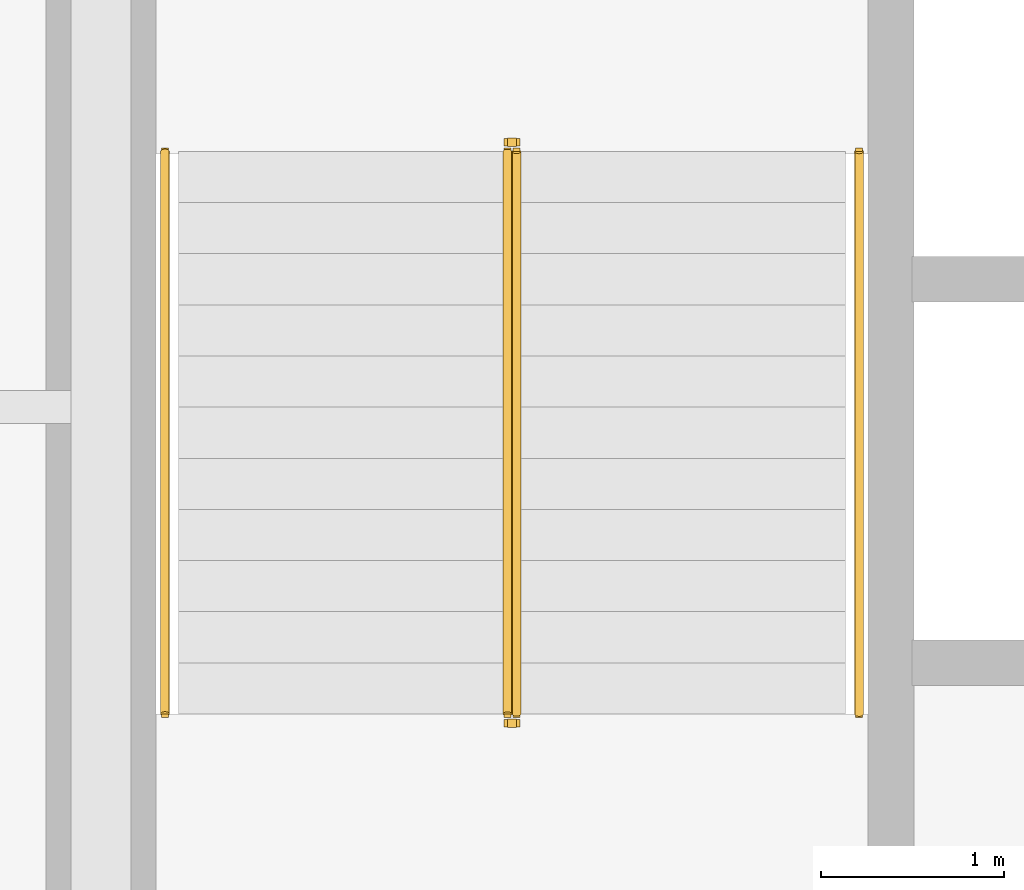
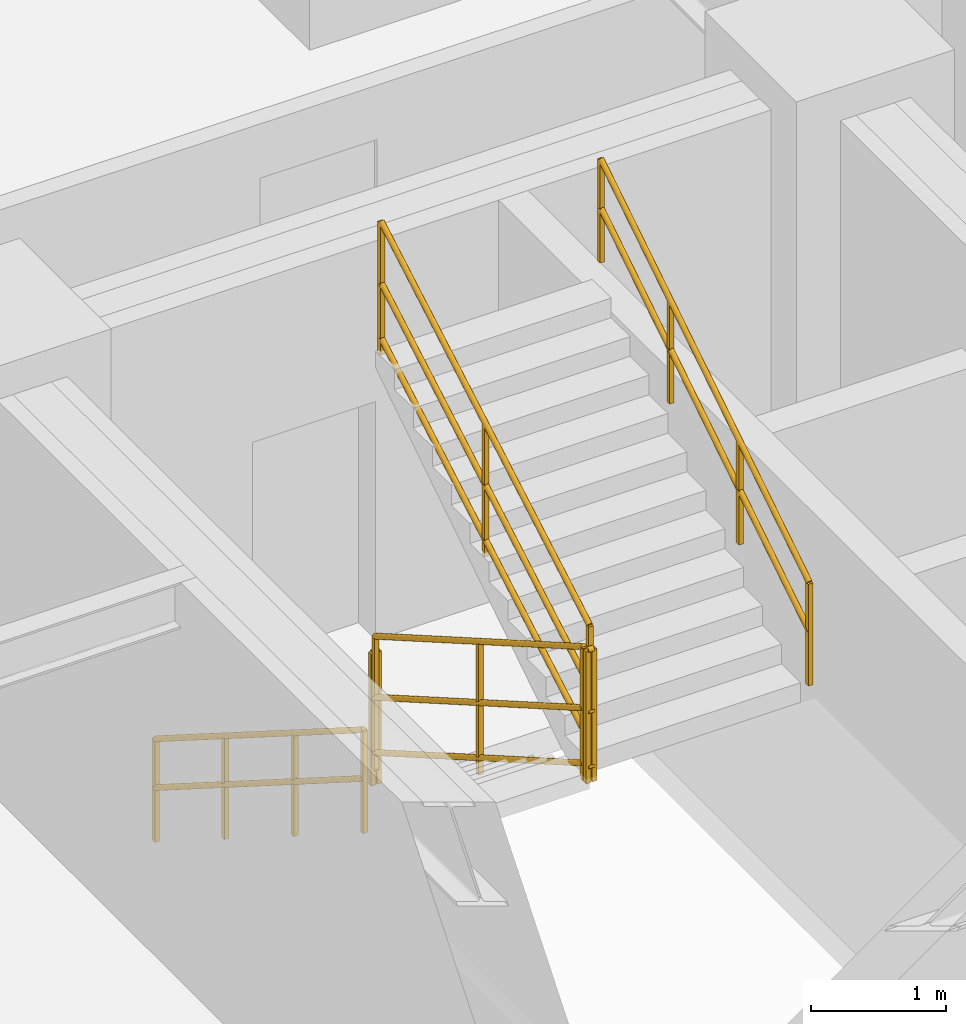
# One storey, part 10 of 10: 6 railings.
"""IFC4 building model written with IfcOpenShell, lengths in metres."""

from ifc_helpers import new_model, entity, si_unit, converted_unit, direction, frame, origin_with_axes, origin_2d_with_axis, place, context, subcontext, project, spatial, rectangle, circle, extrude, material, type_object, element, save


model = new_model("IFC4")

# Units and contexts
model_context = context("Model", 3, precision=1e-05, world=origin_with_axes(), true_north=direction((0.0, 1.0)))
body_context = subcontext(model_context, "Body", "Model", "MODEL_VIEW")
ifc_project = project(units=[si_unit("LENGTHUNIT", "METRE"), si_unit("AREAUNIT", "SQUARE_METRE"), si_unit("VOLUMEUNIT", "CUBIC_METRE"), converted_unit("PLANEANGLEUNIT", "DEGREE", entity("IfcPlaneAngleMeasure", 0.017453292519943295), si_unit("PLANEANGLEUNIT", "RADIAN"), dimensions=[0, 0, 0, 0, 0, 0, 0]), si_unit("MASSUNIT", "GRAM", prefix="KILO"), si_unit("THERMODYNAMICTEMPERATUREUNIT", "KELVIN")], contexts=[model_context])

# Site, building, storey
site_placement = place(None, origin_with_axes())
site = spatial("IfcSite", under=ifc_project, at=site_placement, CompositionType="ELEMENT")
building_placement = place(site_placement, origin_with_axes())
building = spatial("IfcBuilding", under=site, at=building_placement, Name="Varnlund Millrace Tower", CompositionType="ELEMENT")
storey_placement = place(building_placement, frame((0.0, 0.0, 75.6), z_axis=(0.0, 0.0, 1.0), x_axis=(1.0, 0.0, 0.0)))
storey = spatial("IfcBuildingStorey", under=building, at=storey_placement, Name="L18", CompositionType="ELEMENT", Elevation=75.6)

# Railings
ifc_material_1 = material(Name="Painted steel stair well balustrade guard", Category="steel")
railing_type_1 = type_object("IfcRailingType", Name="Type-StairGuard-1150", PredefinedType="GUARDRAIL", material=ifc_material_1)
railing_1_placement = place(storey_placement, frame((0.0, 0.0, -75.6), z_axis=(0.0, 0.0, 1.0), x_axis=(1.0, 0.0, 0.0)))
element("IfcRailing", 1, at=railing_1_placement, inside=storey, type_object=railing_type_1, Name="Type-StairGuard-1150", PredefinedType="GUARDRAIL", context=body_context, shape_type="SweptSolid", body=[
    extrude(circle(Radius=0.024, at=origin_2d_with_axis()), frame((13.625, 35.9, 76.927273), z_axis=(0.0, -0.866696, 0.498836), x_axis=(1.0, 0.0, 0.0)), (0.0, 0.0, 1.0), 3.553725),
    extrude(circle(Radius=0.024, at=origin_2d_with_axis()), frame((13.625, 35.9, 75.877273), z_axis=(0.0, -0.866696, 0.498836), x_axis=(1.0, 0.0, 0.0)), (0.0, 0.0, 1.0), 3.553725),
    extrude(circle(Radius=0.024, at=origin_2d_with_axis()), frame((13.625, 35.9, 76.375273), z_axis=(0.0, -0.866696, 0.498836), x_axis=(1.0, 0.0, 0.0)), (0.0, 0.0, 1.0), 3.553725),
    extrude(rectangle(XDim=0.04, YDim=0.04, at=origin_2d_with_axis()), frame((13.625, 35.9, 75.737273), z_axis=(0.0, 0.0, 1.0), x_axis=(1.0, 0.0, 0.0)), (0.0, 0.0, 1.0), 1.19),
    extrude(rectangle(XDim=0.04, YDim=0.04, at=origin_2d_with_axis()), frame((13.625, 34.36, 76.623636), z_axis=(0.0, 0.0, 1.0), x_axis=(1.0, 0.0, 0.0)), (0.0, 0.0, 1.0), 1.19),
    extrude(rectangle(XDim=0.04, YDim=0.04, at=origin_2d_with_axis()), frame((13.625, 32.82, 77.51), z_axis=(0.0, 0.0, 1.0), x_axis=(1.0, 0.0, 0.0)), (0.0, 0.0, 1.0), 1.19),
])
railing_2_placement = place(storey_placement, frame((0.0, 0.0, -75.6), z_axis=(0.0, 0.0, 1.0), x_axis=(1.0, 0.0, 0.0)))
element("IfcRailing", 2, at=railing_2_placement, inside=storey, type_object=railing_type_1, Name="Type-StairGuard-1150", PredefinedType="GUARDRAIL", context=body_context, shape_type="SweptSolid", body=[
    extrude(circle(Radius=0.024, at=origin_2d_with_axis()), frame((13.675, 32.77, 78.7), z_axis=(-1.0, 0.0, 0.0), x_axis=(0.0, -1.0, 0.0)), (0.0, 0.0, 1.0), 0.05),
    extrude(circle(Radius=0.024, at=origin_2d_with_axis()), frame((13.675, 32.77, 77.65), z_axis=(-1.0, 0.0, 0.0), x_axis=(0.0, -1.0, 0.0)), (0.0, 0.0, 1.0), 0.05),
    extrude(circle(Radius=0.024, at=origin_2d_with_axis()), frame((13.675, 32.77, 78.148), z_axis=(-1.0, 0.0, 0.0), x_axis=(0.0, -1.0, 0.0)), (0.0, 0.0, 1.0), 0.05),
    extrude(rectangle(XDim=0.04, YDim=0.04, at=origin_2d_with_axis()), frame((13.675, 32.77, 77.51), z_axis=(0.0, 0.0, 1.0), x_axis=(1.0, 0.0, 0.0)), (0.0, 0.0, 1.0), 1.19),
    extrude(rectangle(XDim=0.04, YDim=0.04, at=origin_2d_with_axis()), frame((13.625, 32.77, 77.51), z_axis=(0.0, 0.0, 1.0), x_axis=(1.0, 0.0, 0.0)), (0.0, 0.0, 1.0), 1.19),
])
railing_3_placement = place(storey_placement, frame((0.0, 0.0, -75.6), z_axis=(0.0, 0.0, 1.0), x_axis=(1.0, 0.0, 0.0)))
element("IfcRailing", 3, at=railing_3_placement, inside=storey, type_object=railing_type_1, Name="Type-StairGuard-1150", PredefinedType="GUARDRAIL", context=body_context, shape_type="SweptSolid", body=[
    extrude(circle(Radius=0.024, at=origin_2d_with_axis()), frame((13.675, 32.82, 78.877273), z_axis=(0.0, 0.866696, 0.498836), x_axis=(-1.0, 0.0, 0.0)), (0.0, 0.0, 1.0), 3.553725),
    extrude(circle(Radius=0.024, at=origin_2d_with_axis()), frame((13.675, 32.82, 77.827273), z_axis=(0.0, 0.866696, 0.498836), x_axis=(-1.0, 0.0, 0.0)), (0.0, 0.0, 1.0), 3.553725),
    extrude(circle(Radius=0.024, at=origin_2d_with_axis()), frame((13.675, 32.82, 78.325273), z_axis=(0.0, 0.866696, 0.498836), x_axis=(-1.0, 0.0, 0.0)), (0.0, 0.0, 1.0), 3.553725),
    extrude(rectangle(XDim=0.04, YDim=0.04, at=origin_2d_with_axis()), frame((13.675, 32.82, 77.687273), z_axis=(0.0, 0.0, 1.0), x_axis=(1.0, 0.0, 0.0)), (0.0, 0.0, 1.0), 1.19),
    extrude(rectangle(XDim=0.04, YDim=0.04, at=origin_2d_with_axis()), frame((13.675, 34.36, 78.573636), z_axis=(0.0, 0.0, 1.0), x_axis=(1.0, 0.0, 0.0)), (0.0, 0.0, 1.0), 1.19),
    extrude(rectangle(XDim=0.04, YDim=0.04, at=origin_2d_with_axis()), frame((13.675, 35.9, 79.46), z_axis=(0.0, 0.0, 1.0), x_axis=(1.0, 0.0, 0.0)), (0.0, 0.0, 1.0), 1.19),
])
railing_4_placement = place(storey_placement, frame((0.0, 0.0, -75.6), z_axis=(0.0, 0.0, 1.0), x_axis=(1.0, 0.0, 0.0)))
element("IfcRailing", 4, at=railing_4_placement, inside=storey, type_object=railing_type_1, Name="Type-StairGuard-1150", PredefinedType="GUARDRAIL", context=body_context, shape_type="SweptSolid", body=[
    extrude(circle(Radius=0.024, at=origin_2d_with_axis()), frame((13.675, 35.95, 76.75), z_axis=(-1.0, 0.0, 0.0), x_axis=(0.0, -1.0, 0.0)), (0.0, 0.0, 1.0), 0.05),
    extrude(circle(Radius=0.024, at=origin_2d_with_axis()), frame((13.675, 35.95, 75.7), z_axis=(-1.0, 0.0, 0.0), x_axis=(0.0, -1.0, 0.0)), (0.0, 0.0, 1.0), 0.05),
    extrude(circle(Radius=0.024, at=origin_2d_with_axis()), frame((13.675, 35.95, 76.198), z_axis=(-1.0, 0.0, 0.0), x_axis=(0.0, -1.0, 0.0)), (0.0, 0.0, 1.0), 0.05),
    extrude(rectangle(XDim=0.04, YDim=0.04, at=origin_2d_with_axis()), frame((13.675, 35.95, 75.56), z_axis=(0.0, 0.0, 1.0), x_axis=(1.0, 0.0, 0.0)), (0.0, 0.0, 1.0), 1.19),
    extrude(rectangle(XDim=0.04, YDim=0.04, at=origin_2d_with_axis()), frame((13.625, 35.95, 75.56), z_axis=(0.0, 0.0, 1.0), x_axis=(1.0, 0.0, 0.0)), (0.0, 0.0, 1.0), 1.19),
])
ifc_material_2 = material(Name="Brushed architectural bronze stair handrail", Category="aluminium")
railing_type_2 = type_object("IfcRailingType", Name="Type-StairHandrail-900", PredefinedType="HANDRAIL", material=ifc_material_2)
railing_5_placement = place(storey_placement, frame((0.0, 0.0, -75.6), z_axis=(0.0, 0.0, 1.0), x_axis=(1.0, 0.0, 0.0)))
element("IfcRailing", 5, at=railing_5_placement, inside=storey, type_object=railing_type_2, Name="Type-StairHandrail-900", PredefinedType="HANDRAIL", context=body_context, shape_type="SweptSolid", body=[
    extrude(circle(Radius=0.024, at=origin_2d_with_axis()), frame((11.75, 35.9, 76.656995), z_axis=(0.0, -0.844902, 0.534922), x_axis=(1.0, 0.0, 0.0)), (0.0, 0.0, 1.0), 3.645394),
    extrude(circle(Radius=0.024, at=origin_2d_with_axis()), frame((11.75, 35.9, 76.217134), z_axis=(0.0, -0.844902, 0.534922), x_axis=(1.0, 0.0, 0.0)), (0.0, 0.0, 1.0), 3.645394),
    extrude(rectangle(XDim=0.04, YDim=0.04, at=origin_2d_with_axis()), frame((11.75, 35.9, 75.737273), z_axis=(0.0, 0.0, 1.0), x_axis=(1.0, 0.0, 0.0)), (0.0, 0.0, 1.0), 0.919722),
    extrude(rectangle(XDim=0.04, YDim=0.04, at=origin_2d_with_axis()), frame((11.75, 34.873333, 76.387273), z_axis=(0.0, 0.0, 1.0), x_axis=(1.0, 0.0, 0.0)), (0.0, 0.0, 1.0), 0.919722),
    extrude(rectangle(XDim=0.04, YDim=0.04, at=origin_2d_with_axis()), frame((11.75, 33.846667, 77.037273), z_axis=(0.0, 0.0, 1.0), x_axis=(1.0, 0.0, 0.0)), (0.0, 0.0, 1.0), 0.919722),
    extrude(rectangle(XDim=0.04, YDim=0.04, at=origin_2d_with_axis()), frame((11.75, 32.82, 77.687273), z_axis=(0.0, 0.0, 1.0), x_axis=(1.0, 0.0, 0.0)), (0.0, 0.0, 1.0), 0.919722),
])
railing_6_placement = place(storey_placement, frame((0.0, 0.0, -75.6), z_axis=(0.0, 0.0, 1.0), x_axis=(1.0, 0.0, 0.0)))
element("IfcRailing", 6, at=railing_6_placement, inside=storey, type_object=railing_type_2, Name="Type-StairHandrail-900", PredefinedType="HANDRAIL", context=body_context, shape_type="SweptSolid", body=[
    extrude(circle(Radius=0.024, at=origin_2d_with_axis()), frame((15.55, 32.82, 78.606995), z_axis=(0.0, 0.844902, 0.534922), x_axis=(-1.0, 0.0, 0.0)), (0.0, 0.0, 1.0), 3.645394),
    extrude(circle(Radius=0.024, at=origin_2d_with_axis()), frame((15.55, 32.82, 78.167134), z_axis=(0.0, 0.844902, 0.534922), x_axis=(-1.0, 0.0, 0.0)), (0.0, 0.0, 1.0), 3.645394),
    extrude(rectangle(XDim=0.04, YDim=0.04, at=origin_2d_with_axis()), frame((15.55, 32.82, 77.687273), z_axis=(0.0, 0.0, 1.0), x_axis=(1.0, 0.0, 0.0)), (0.0, 0.0, 1.0), 0.919722),
    extrude(rectangle(XDim=0.04, YDim=0.04, at=origin_2d_with_axis()), frame((15.55, 33.846667, 78.337273), z_axis=(0.0, 0.0, 1.0), x_axis=(1.0, 0.0, 0.0)), (0.0, 0.0, 1.0), 0.919722),
    extrude(rectangle(XDim=0.04, YDim=0.04, at=origin_2d_with_axis()), frame((15.55, 34.873333, 78.987273), z_axis=(0.0, 0.0, 1.0), x_axis=(1.0, 0.0, 0.0)), (0.0, 0.0, 1.0), 0.919722),
    extrude(rectangle(XDim=0.04, YDim=0.04, at=origin_2d_with_axis()), frame((15.55, 35.9, 79.637273), z_axis=(0.0, 0.0, 1.0), x_axis=(1.0, 0.0, 0.0)), (0.0, 0.0, 1.0), 0.919722),
])

save(model, "model.ifc")
